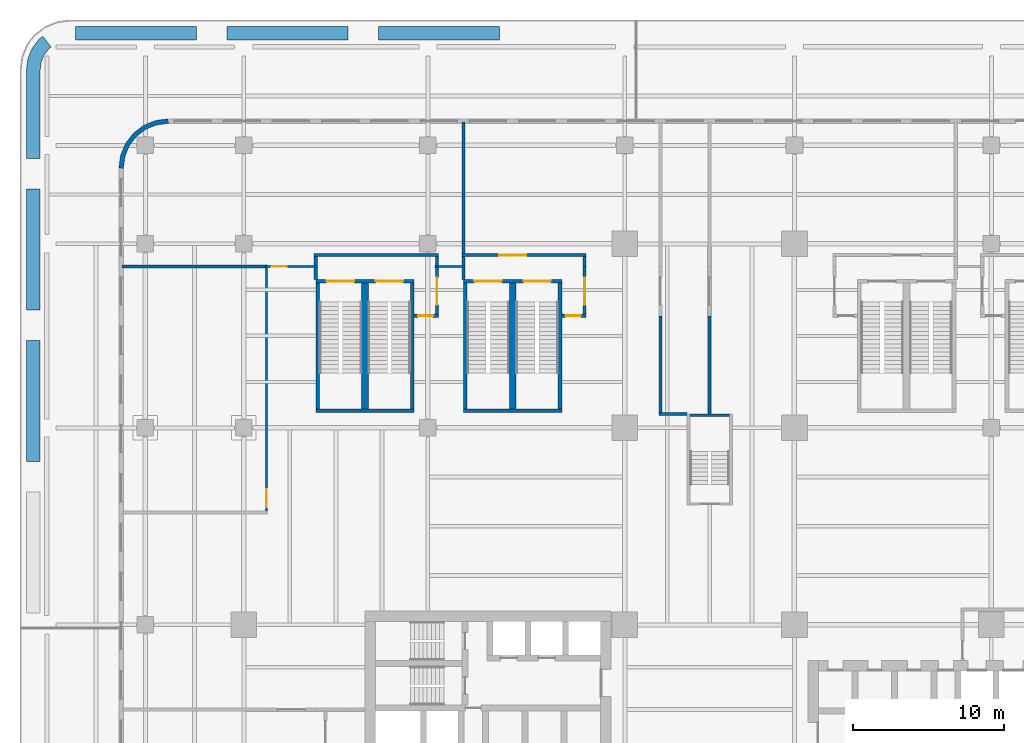
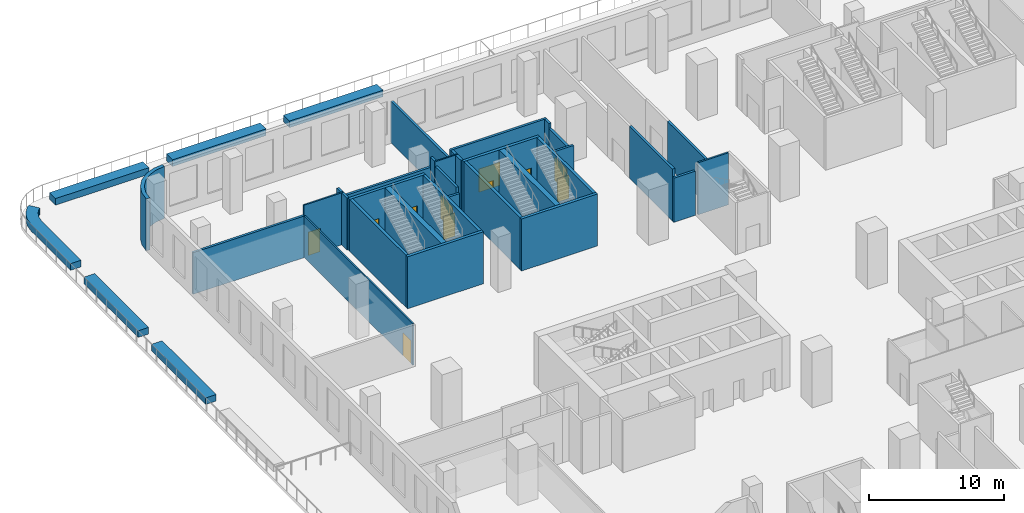
# One storey, part 13 of 18: 38 walls, 11 doors, 11 openings.
"""IFC4 building model written with IfcOpenShell, lengths in metres."""

from ifc_helpers import new_model, si_unit, direction, frame, frame_2d, origin, place, context, subcontext, project, spatial, polyline, rectangle, outline, extrude, source, transform, mapped, material, layer, layer_set, type_object, element, fill, save


model = new_model("IFC4")

# Units and contexts
model_context = context("Model", 3, precision=1e-05, world=origin(), true_north=direction((0.0, 1.0)))
body_context = subcontext(model_context, "Body", "Model", "MODEL_VIEW")
ifc_project = project(units=[si_unit("LENGTHUNIT", "METRE"), si_unit("AREAUNIT", "SQUARE_METRE"), si_unit("VOLUMEUNIT", "CUBIC_METRE"), si_unit("PLANEANGLEUNIT", "RADIAN"), si_unit("MASSUNIT", "GRAM", prefix="KILO")], contexts=[model_context])

# Site, building, storey
site_placement = place(None, origin())
site = spatial("IfcSite", under=ifc_project, at=site_placement, CompositionType="ELEMENT")
building_placement = place(site_placement, origin())
building = spatial("IfcBuilding", under=site, at=building_placement, Name="Trellis Farm Tower", CompositionType="ELEMENT")
storey_placement = place(building_placement, frame((0.0, 0.0, 14.0)))
storey = spatial("IfcBuildingStorey", under=building, at=storey_placement, Name="L02", CompositionType="ELEMENT", Elevation=14.0)

# Wall, opening, door
ifc_material_1 = material(Name="Plasterboard on steel studs, mineral wool", Category="steel")
ifc_layer_1 = layer(ifc_material_1, 0.125)
ifc_layer_set_1 = layer_set([ifc_layer_1], Name="PARTITION 125 STUD EI 60")
wall_type_1 = type_object("IfcWallType", Name="PARTITION 125 STUD EI 60", PredefinedType="PARTITIONING", material=ifc_layer_set_1)
wall_1_placement = place(storey_placement, frame((-29.25, 13.10009765625, 0.0), z_axis=(0.0, 0.0, 1.0), x_axis=(0.0, 1.0, 0.0)))
wall_1 = element("IfcWall", 1, at=wall_1_placement, inside=storey, type_object=wall_type_1, Name="Partition PW1", PredefinedType="PARTITIONING", context=body_context, shape_type="SweptSolid", body=[
    extrude(rectangle(XDim=16.0498046875, YDim=0.125, at=frame_2d((8.02490234375, 0.0))), origin(), (0.0, 0.0, 1.0), 3.76171875),
])
shared_shape_1 = source(origin(), body_context, "Body", "SweptSolid", [
    extrude(rectangle(XDim=1.199951171875, YDim=2.10009765625, at=frame_2d((0.60009765625, 1.050048828125))), frame((0.0, 0.072509765625, 0.0), z_axis=(0.0, -1.0, 0.0), x_axis=(1.0, 0.0, 0.0)), (0.0, 0.0, 1.0), 0.14501953125),
])
opening_1_placement = place(wall_1_placement, frame((0.25, 0.0, 0.0)))
opening_1 = element("IfcOpeningElement", 2, at=opening_1_placement, cuts=wall_1, Name="Opening D604", PredefinedType="OPENING", context=body_context, shape_type="MappedRepresentation", body=[
    mapped(shared_shape_1, transform((0.0, 0.0, 0.0))),
])
ifc_material_2 = material(Name="Fire-rated timber door leaf in a hollow metal frame", Category="wood")
door_type_1 = type_object("IfcDoorType", Name="DOOR 1200x2100 FD30S", OperationType="NOTDEFINED", PredefinedType="DOOR", material=ifc_material_2)
shared_shape_2 = source(origin(), body_context, "Body", "SweptSolid", [
    extrude(rectangle(XDim=1.199951171875, YDim=2.10009765625, at=frame_2d((0.60009765625, 1.050048828125))), frame((0.0, 0.02490234375, 0.0), z_axis=(0.0, -1.0, 0.0), x_axis=(1.0, 0.0, 0.0)), (0.0, 0.0, 1.0), 0.050048828125),
])
door_1_placement = place(opening_1_placement, origin())
door_1 = element("IfcDoor", 3, at=door_1_placement, inside=storey, type_object=door_type_1, Name="Door D604", OperationType="SINGLE_SWING_LEFT", OverallHeight=2.10009765625, OverallWidth=1.199951171875, PredefinedType="DOOR", context=body_context, shape_type="MappedRepresentation", body=[
    mapped(shared_shape_2, transform((0.0, 0.0, 0.0))),
])
fill(opening_1, door_1)

# Walls
ifc_material_3 = material(Name="Sandstone faced masonry planter", Category="masonry")
ifc_layer_2 = layer(ifc_material_3, 0.89990234375)
ifc_layer_set_2 = layer_set([ifc_layer_2], Name="TERRACE PLANTER BED 900")
wall_type_2 = type_object("IfcWallType", Name="TERRACE PLANTER BED 900", PredefinedType="USERDEFINED", material=ifc_layer_set_2)
placement = place(storey_placement, origin())
element("IfcWall", 4, at=placement, inside=storey, type_object=wall_type_2, Name="PLANTER bed", ObjectType="PLANTER", PredefinedType="USERDEFINED", context=body_context, shape_type="SweptSolid", body=[
    extrude(outline(polyline([(-44.199951171875, 24.375), (-44.199951171875, 16.375), (-45.10009765625, 16.375), (-45.10009765625, 24.375), (-44.199951171875, 24.375)])), origin(), (0.0, 0.0, 1.0), 0.60009765625),
])
element("IfcWall", 5, at=placement, inside=storey, type_object=wall_type_2, Name="PLANTER bed", ObjectType="PLANTER", PredefinedType="USERDEFINED", context=body_context, shape_type="SweptSolid", body=[
    extrude(outline(polyline([(-44.199951171875, 34.375), (-44.199951171875, 26.375), (-45.10009765625, 26.375), (-45.10009765625, 34.375), (-44.199951171875, 34.375)])), origin(), (0.0, 0.0, 1.0), 0.60009765625),
])
element("IfcWall", 6, at=placement, inside=storey, type_object=wall_type_2, Name="PLANTER bed", ObjectType="PLANTER", PredefinedType="USERDEFINED", context=body_context, shape_type="SweptSolid", body=[
    extrude(outline(polyline([(-44.99951171875, 42.98681640625), (-44.715087890625, 43.67333984375), (-44.2626953125, 44.2626953125), (-44.016845703125, 44.451416015625), (-43.468994140625, 43.737548828125), (-43.620849609375, 43.620849609375), (-43.928955078125, 43.219482421875), (-44.122802734375, 42.751708984375), (-44.199951171875, 42.164794921875), (-44.199951171875, 36.375), (-45.10009765625, 36.375), (-45.10009765625, 42.223876953125), (-44.99951171875, 42.98681640625)])), origin(), (0.0, 0.0, 1.0), 0.60009765625),
])
element("IfcWall", 7, at=placement, inside=storey, type_object=wall_type_2, Name="PLANTER bed", ObjectType="PLANTER", PredefinedType="USERDEFINED", context=body_context, shape_type="SweptSolid", body=[
    extrude(outline(polyline([(-33.87353515625, 44.199951171875), (-41.87353515625, 44.199951171875), (-41.87353515625, 45.10009765625), (-33.87353515625, 45.10009765625), (-33.87353515625, 44.199951171875)])), origin(), (0.0, 0.0, 1.0), 0.60009765625),
])
element("IfcWall", 8, at=placement, inside=storey, type_object=wall_type_2, Name="PLANTER bed", ObjectType="PLANTER", PredefinedType="USERDEFINED", context=body_context, shape_type="SweptSolid", body=[
    extrude(outline(polyline([(-23.87353515625, 44.199951171875), (-31.87353515625, 44.199951171875), (-31.87353515625, 45.10009765625), (-23.87353515625, 45.10009765625), (-23.87353515625, 44.199951171875)])), origin(), (0.0, 0.0, 1.0), 0.60009765625),
])
element("IfcWall", 9, at=placement, inside=storey, type_object=wall_type_2, Name="PLANTER bed", ObjectType="PLANTER", PredefinedType="USERDEFINED", context=body_context, shape_type="SweptSolid", body=[
    extrude(outline(polyline([(-13.87353515625, 44.199951171875), (-21.87353515625, 44.199951171875), (-21.87353515625, 45.10009765625), (-13.87353515625, 45.10009765625), (-13.87353515625, 44.199951171875)])), origin(), (0.0, 0.0, 1.0), 0.60009765625),
])
ifc_material_4 = material(Name="Concrete C80/95", Category="concrete")
ifc_layer_3 = layer(ifc_material_4, 0.14990234375)
ifc_layer_set_3 = layer_set([ifc_layer_3], Name="CORE STAIR ENCLOSURE WALL 150 CONCRETE C80/95")
wall_type_3 = type_object("IfcWallType", Name="CORE STAIR ENCLOSURE WALL 150 CONCRETE C80/95", PredefinedType="SHEAR", material=ifc_layer_set_3)
shared_shape_3 = source(origin(), body_context, "Body", "SweptSolid", [
    extrude(rectangle(XDim=2.60009765625, YDim=0.14990234375, at=frame_2d((1.300048828125, 0.0))), origin(), (0.0, 0.0, 1.0), 4.699951171875),
])
wall_8_placement = place(storey_placement, frame((-1.300048828125, 19.425048828125, 0.0), z_axis=(0.0, 0.0, 1.0), x_axis=(1.0, 0.0, 0.0)))
element("IfcWall", 10, at=wall_8_placement, inside=storey, type_object=wall_type_3, Name="Stair enclosure wall", PredefinedType="SHEAR", context=body_context, shape_type="MappedRepresentation", body=[
    mapped(shared_shape_3, transform((0.0, 0.0, 0.0))),
])

# Wall, openings, doors
ifc_layer_4 = layer(ifc_material_4, 0.25)
ifc_layer_set_4 = layer_set([ifc_layer_4], Name="CORE STAIR ENCLOSURE WALL 250 CONCRETE C80/95")
wall_type_4 = type_object("IfcWallType", Name="CORE STAIR ENCLOSURE WALL 250 CONCRETE C80/95", PredefinedType="SHEAR", material=ifc_layer_set_4)
shared_shape_4 = source(origin(), body_context, "Body", "SweptSolid", [
    extrude(rectangle(XDim=6.5, YDim=0.25, at=frame_2d((3.25, 0.0))), origin(), (0.0, 0.0, 1.0), 4.699951171875),
])
wall_9_placement = place(storey_placement, frame((-26.0, 28.27490234375, 0.0), z_axis=(0.0, 0.0, 1.0), x_axis=(1.0, 0.0, 0.0)))
wall_9 = element("IfcWall", 11, at=wall_9_placement, inside=storey, type_object=wall_type_4, Name="Podium stair enclosure wall", PredefinedType="SHEAR", context=body_context, shape_type="MappedRepresentation", body=[
    mapped(shared_shape_4, transform((0.0, 0.0, 0.0))),
])
shared_shape_5 = source(origin(), body_context, "Body", "SweptSolid", [
    extrude(rectangle(XDim=1.800048828125, YDim=2.10009765625, at=frame_2d((0.89990234375, 1.050048828125))), frame((0.0, 0.135009765625, 0.0), z_axis=(0.0, -1.0, 0.0), x_axis=(1.0, 0.0, 0.0)), (0.0, 0.0, 1.0), 0.27001953125),
])
opening_2_placement = place(wall_9_placement, frame((0.72509765625, 0.0, 0.0)))
opening_2 = element("IfcOpeningElement", 12, at=opening_2_placement, cuts=wall_9, Name="Opening DP1", PredefinedType="OPENING", context=body_context, shape_type="MappedRepresentation", body=[
    mapped(shared_shape_5, transform((0.0, 0.0, 0.0))),
])
opening_3_placement = place(wall_9_placement, frame((3.97509765625, 0.0, 0.0)))
opening_3 = element("IfcOpeningElement", 13, at=opening_3_placement, cuts=wall_9, Name="Opening DP2", PredefinedType="OPENING", context=body_context, shape_type="MappedRepresentation", body=[
    mapped(shared_shape_5, transform((0.0, 0.0, 0.0))),
])
ifc_material_5 = material(Name="Steel", Category="steel")
door_type_2 = type_object("IfcDoorType", Name="CORE FIRE DOOR DOUBLE 1800 X 2100", OperationType="DOUBLE_DOOR_SINGLE_SWING", PredefinedType="DOOR", material=ifc_material_5)
shared_shape_6 = source(origin(), body_context, "Body", "SweptSolid", [
    extrude(rectangle(XDim=1.800048828125, YDim=2.10009765625, at=frame_2d((0.89990234375, 1.050048828125))), frame((0.0, 0.02490234375, 0.0), z_axis=(0.0, -1.0, 0.0), x_axis=(1.0, 0.0, 0.0)), (0.0, 0.0, 1.0), 0.050048828125),
])
door_2_placement = place(opening_2_placement, origin())
door_2 = element("IfcDoor", 14, at=door_2_placement, inside=storey, type_object=door_type_2, Name="Podium stair door", OperationType="DOUBLE_DOOR_SINGLE_SWING", OverallHeight=2.10009765625, OverallWidth=1.800048828125, PredefinedType="DOOR", context=body_context, shape_type="MappedRepresentation", body=[
    mapped(shared_shape_6, transform((0.0, 0.0, 0.0))),
])
fill(opening_2, door_2)
door_3_placement = place(opening_3_placement, origin())
door_3 = element("IfcDoor", 15, at=door_3_placement, inside=storey, type_object=door_type_2, Name="Podium stair door", OperationType="DOUBLE_DOOR_SINGLE_SWING", OverallHeight=2.10009765625, OverallWidth=1.800048828125, PredefinedType="DOOR", context=body_context, shape_type="MappedRepresentation", body=[
    mapped(shared_shape_6, transform((0.0, 0.0, 0.0))),
])
fill(opening_3, door_3)

# Wall
wall_10_placement = place(storey_placement, frame((-26.0, 19.72509765625, 0.0), z_axis=(0.0, 0.0, 1.0), x_axis=(1.0, 0.0, 0.0)))
element("IfcWall", 16, at=wall_10_placement, inside=storey, type_object=wall_type_4, Name="Podium stair enclosure wall", PredefinedType="SHEAR", context=body_context, shape_type="MappedRepresentation", body=[
    mapped(shared_shape_4, transform((0.0, 0.0, 0.0))),
])

# Wall, openings, doors
wall_11_placement = place(storey_placement, frame((-16.25, 28.27490234375, 0.0), z_axis=(0.0, 0.0, 1.0), x_axis=(1.0, 0.0, 0.0)))
wall_11 = element("IfcWall", 17, at=wall_11_placement, inside=storey, type_object=wall_type_4, Name="Podium stair enclosure wall", PredefinedType="SHEAR", context=body_context, shape_type="MappedRepresentation", body=[
    mapped(shared_shape_4, transform((0.0, 0.0, 0.0))),
])
opening_4_placement = place(wall_11_placement, frame((0.72509765625, 0.0, 0.0)))
opening_4 = element("IfcOpeningElement", 18, at=opening_4_placement, cuts=wall_11, Name="Opening DP3", PredefinedType="OPENING", context=body_context, shape_type="MappedRepresentation", body=[
    mapped(shared_shape_5, transform((0.0, 0.0, 0.0))),
])
opening_5_placement = place(wall_11_placement, frame((3.97509765625, 0.0, 0.0)))
opening_5 = element("IfcOpeningElement", 19, at=opening_5_placement, cuts=wall_11, Name="Opening DP4", PredefinedType="OPENING", context=body_context, shape_type="MappedRepresentation", body=[
    mapped(shared_shape_5, transform((0.0, 0.0, 0.0))),
])
door_4_placement = place(opening_4_placement, origin())
door_4 = element("IfcDoor", 20, at=door_4_placement, inside=storey, type_object=door_type_2, Name="Podium stair door", OperationType="DOUBLE_DOOR_SINGLE_SWING", OverallHeight=2.10009765625, OverallWidth=1.800048828125, PredefinedType="DOOR", context=body_context, shape_type="MappedRepresentation", body=[
    mapped(shared_shape_6, transform((0.0, 0.0, 0.0))),
])
fill(opening_4, door_4)
door_5_placement = place(opening_5_placement, origin())
door_5 = element("IfcDoor", 21, at=door_5_placement, inside=storey, type_object=door_type_2, Name="Podium stair door", OperationType="DOUBLE_DOOR_SINGLE_SWING", OverallHeight=2.10009765625, OverallWidth=1.800048828125, PredefinedType="DOOR", context=body_context, shape_type="MappedRepresentation", body=[
    mapped(shared_shape_6, transform((0.0, 0.0, 0.0))),
])
fill(opening_5, door_5)

# Walls
wall_12_placement = place(storey_placement, frame((-16.25, 19.72509765625, 0.0), z_axis=(0.0, 0.0, 1.0), x_axis=(1.0, 0.0, 0.0)))
element("IfcWall", 22, at=wall_12_placement, inside=storey, type_object=wall_type_4, Name="Podium stair enclosure wall", PredefinedType="SHEAR", context=body_context, shape_type="MappedRepresentation", body=[
    mapped(shared_shape_4, transform((0.0, 0.0, 0.0))),
])
shared_shape_7 = source(origin(), body_context, "Body", "SweptSolid", [
    extrude(rectangle(XDim=8.2998046875, YDim=0.25, at=frame_2d((4.14990234375, 0.0))), origin(), (0.0, 0.0, 1.0), 4.699951171875),
])
for number, where, z_axis, x_axis, name in (
    (23, (-25.875, 19.85009765625, 0.0), (0.0, 0.0, 1.0), (0.0, 1.0, 0.0), "Podium stair enclosure wall"),
    (24, (-19.625, 19.85009765625, 0.0), (0.0, 0.0, 1.0), (0.0, 1.0, 0.0), "Podium stair enclosure wall"),
    (25, (-16.125, 19.85009765625, 0.0), (0.0, 0.0, 1.0), (0.0, 1.0, 0.0), "Podium stair enclosure wall"),
    (26, (-9.875, 19.85009765625, 0.0), (0.0, 0.0, 1.0), (0.0, 1.0, 0.0), "Podium stair enclosure wall"),
):
    element("IfcWall", number, at=place(storey_placement, frame(where, z_axis=z_axis, x_axis=x_axis)), inside=storey, type_object=wall_type_4, Name=name, PredefinedType="SHEAR", context=body_context, shape_type="MappedRepresentation", body=[
        mapped(shared_shape_7, transform((0.0, 0.0, 0.0))),
    ])
ifc_layer_5 = layer(ifc_material_4, 0.43994140625)
ifc_layer_set_5 = layer_set([ifc_layer_5], Name="CORE STAIR ENCLOSURE WALL 440 CONCRETE C80/95")
wall_type_5 = type_object("IfcWallType", Name="CORE STAIR ENCLOSURE WALL 440 CONCRETE C80/95", PredefinedType="SHEAR", material=ifc_layer_set_5)
shared_shape_8 = source(origin(), body_context, "Body", "SweptSolid", [
    extrude(rectangle(XDim=8.2998046875, YDim=0.43994140625, at=frame_2d((4.14990234375, 0.0))), origin(), (0.0, 0.0, 1.0), 4.699951171875),
])
for number, where, z_axis, x_axis, name in (
    (27, (-22.75, 19.85009765625, 0.0), (0.0, 0.0, 1.0), (0.0, 1.0, 0.0), "Podium stair enclosure wall"),
    (28, (-13.0, 19.85009765625, 0.0), (0.0, 0.0, 1.0), (0.0, 1.0, 0.0), "Podium stair enclosure wall"),
):
    element("IfcWall", number, at=place(storey_placement, frame(where, z_axis=z_axis, x_axis=x_axis)), inside=storey, type_object=wall_type_5, Name=name, PredefinedType="SHEAR", context=body_context, shape_type="MappedRepresentation", body=[
        mapped(shared_shape_8, transform((0.0, 0.0, 0.0))),
    ])
ifc_material_6 = material(Name="Sandstone faced insulated wall", Category="masonry")
ifc_layer_6 = layer(ifc_material_6, 0.300048828125)
ifc_layer_set_6 = layer_set([ifc_layer_6], Name="STONE CLAD EXTERNAL WALL 300")
wall_type_6 = type_object("IfcWallType", Name="STONE CLAD EXTERNAL WALL 300", PredefinedType="SOLIDWALL", material=ifc_layer_set_6)
shared_shape_9 = source(origin(), body_context, "Body", "SweptSolid", [
    extrude(outline(polyline([(-35.75, 39.0), (-36.591064453125, 38.88916015625), (-37.375, 38.564697265625), (-38.048095703125, 38.048095703125), (-38.564697265625, 37.375), (-38.88916015625, 36.591064453125), (-39.0, 35.75), (-38.699951171875, 35.730224609375), (-38.596923828125, 36.512939453125), (-38.302490234375, 37.2236328125), (-37.834228515625, 37.834228515625), (-37.2236328125, 38.302490234375), (-36.512939453125, 38.596923828125), (-35.730224609375, 38.699951171875), (-35.75, 39.0)])), origin(), (0.0, 0.0, 1.0), 4.699951171875),
])
element("IfcWall", 29, at=placement, inside=storey, type_object=wall_type_6, Name="EW2 C02", PredefinedType="SOLIDWALL", context=body_context, shape_type="MappedRepresentation", body=[
    mapped(shared_shape_9, transform((0.0, 0.0, 0.0))),
])
ifc_material_7 = material(Name="Lightweight blockwork, plastered", Category="masonry")
ifc_layer_7 = layer(ifc_material_7, 0.199951171875)
ifc_layer_set_7 = layer_set([ifc_layer_7], Name="BLOCK WALL 200 EI 120")
wall_type_7 = type_object("IfcWallType", Name="BLOCK WALL 200 EI 120", PredefinedType="PARTITIONING", material=ifc_layer_set_7)
shared_shape_10 = source(origin(), body_context, "Body", "SweptSolid", [
    extrude(rectangle(XDim=0.78759765625, YDim=0.199951171875, at=frame_2d((0.393798828125, 0.0))), origin(), (0.0, 0.0, 1.0), 4.699951171875),
])
for number, where, z_axis, x_axis, name in (
    (30, (-26.0, 28.39990234375, 0.0), (0.0, 0.0, 1.0), (0.0, 1.0, 0.0), "Partition PW3"),
    (31, (-16.25, 28.39990234375, 0.0), (0.0, 0.0, 1.0), (0.0, 1.0, 0.0), "Partition PW3"),
):
    element("IfcWall", number, at=place(storey_placement, frame(where, z_axis=z_axis, x_axis=x_axis)), inside=storey, type_object=wall_type_7, Name=name, PredefinedType="PARTITIONING", context=body_context, shape_type="MappedRepresentation", body=[
        mapped(shared_shape_10, transform((0.0, 0.0, 0.0))),
    ])
shared_shape_11 = source(origin(), body_context, "Body", "SweptSolid", [
    extrude(rectangle(XDim=0.58740234375, YDim=0.199951171875, at=frame_2d((0.293701171875, 0.0))), origin(), (0.0, 0.0, 1.0), 4.699951171875),
])
for number, where, z_axis, x_axis, name in (
    (32, (-26.0, 29.3125, 0.0), (0.0, 0.0, 1.0), (0.0, 1.0, 0.0), "Partition PW3"),
    (33, (-18.0, 29.3125, 0.0), (0.0, 0.0, 1.0), (0.0, 1.0, 0.0), "Partition PW3"),
    (34, (-16.25, 29.3125, 0.0), (0.0, 0.0, 1.0), (0.0, 1.0, 0.0), "Partition PW3"),
):
    element("IfcWall", number, at=place(storey_placement, frame(where, z_axis=z_axis, x_axis=x_axis)), inside=storey, type_object=wall_type_7, Name=name, PredefinedType="PARTITIONING", context=body_context, shape_type="MappedRepresentation", body=[
        mapped(shared_shape_11, transform((0.0, 0.0, 0.0))),
    ])

# Wall, opening, door
shared_shape_12 = source(origin(), body_context, "Body", "SweptSolid", [
    extrude(rectangle(XDim=3.08740234375, YDim=0.199951171875, at=frame_2d((1.543701171875, 0.0))), origin(), (0.0, 0.0, 1.0), 4.273681640625),
])
wall_14_placement = place(storey_placement, frame((-18.0, 29.1875, 0.0), z_axis=(0.0, 0.0, 1.0), x_axis=(0.0, -1.0, 0.0)))
wall_14 = element("IfcWall", 35, at=wall_14_placement, inside=storey, type_object=wall_type_7, Name="Partition PW3", PredefinedType="PARTITIONING", context=body_context, shape_type="MappedRepresentation", body=[
    mapped(shared_shape_12, transform((0.0, 0.0, 0.0))),
])
shared_shape_13 = source(origin(), body_context, "Body", "SweptSolid", [
    extrude(rectangle(XDim=1.800048828125, YDim=2.10009765625, at=frame_2d((0.89990234375, 1.050048828125))), frame((0.0, 0.110107421875, 0.0), z_axis=(0.0, -1.0, 0.0), x_axis=(1.0, 0.0, 0.0)), (0.0, 0.0, 1.0), 0.22021484375),
])
opening_6_placement = place(wall_14_placement, frame((0.66259765625, 0.0, 0.0)))
opening_6 = element("IfcOpeningElement", 36, at=opening_6_placement, cuts=wall_14, Name="Opening D413", PredefinedType="OPENING", context=body_context, shape_type="MappedRepresentation", body=[
    mapped(shared_shape_13, transform((0.0, 0.0, 0.0))),
])
door_type_3 = type_object("IfcDoorType", Name="DOOR PAIR 1800x2100 FD60", OperationType="NOTDEFINED", PredefinedType="DOOR", material=ifc_material_2)
door_6_placement = place(opening_6_placement, origin())
door_6 = element("IfcDoor", 37, at=door_6_placement, inside=storey, type_object=door_type_3, Name="Door D413", OperationType="DOUBLE_DOOR_SINGLE_SWING", OverallHeight=2.10009765625, OverallWidth=1.800048828125, PredefinedType="DOOR", context=body_context, shape_type="MappedRepresentation", body=[
    mapped(shared_shape_6, transform((0.0, 0.0, 0.0))),
])
fill(opening_6, door_6)

# Walls
shared_shape_14 = source(origin(), body_context, "Body", "SweptSolid", [
    extrude(rectangle(XDim=8.699951171875, YDim=0.199951171875, at=frame_2d((4.35009765625, 0.0))), origin(), (0.0, 0.0, 1.0), 3.76171875),
])
wall_15_placement = place(storey_placement, frame((-16.25, 30.10009765625, 0.0), z_axis=(0.0, 0.0, 1.0), x_axis=(0.0, 1.0, 0.0)))
element("IfcWall", 38, at=wall_15_placement, inside=storey, type_object=wall_type_7, Name="Partition PW3", PredefinedType="PARTITIONING", context=body_context, shape_type="MappedRepresentation", body=[
    mapped(shared_shape_14, transform((0.0, 0.0, 0.0))),
])
shared_shape_15 = source(origin(), body_context, "Body", "SweptSolid", [
    extrude(rectangle(XDim=6.39990234375, YDim=0.199951171875, at=frame_2d((3.199951171875, 0.0))), origin(), (0.0, 0.0, 1.0), 4.699951171875),
])
wall_16_placement = place(storey_placement, frame((-3.25, 26.0, 0.0), z_axis=(0.0, 0.0, 1.0), x_axis=(0.0, -1.0, 0.0)))
element("IfcWall", 39, at=wall_16_placement, inside=storey, type_object=wall_type_7, Name="Partition PW3", PredefinedType="PARTITIONING", context=body_context, shape_type="MappedRepresentation", body=[
    mapped(shared_shape_15, transform((0.0, 0.0, 0.0))),
])
shared_shape_16 = source(origin(), body_context, "Body", "SweptSolid", [
    extrude(rectangle(XDim=6.5, YDim=0.199951171875, at=frame_2d((3.25, 0.0))), origin(), (0.0, 0.0, 1.0), 3.996337890625),
])
wall_17_placement = place(storey_placement, frame((0.0, 26.0, 0.0), z_axis=(0.0, 0.0, 1.0), x_axis=(0.0, -1.0, 0.0)))
element("IfcWall", 40, at=wall_17_placement, inside=storey, type_object=wall_type_7, Name="Partition PW3", PredefinedType="PARTITIONING", context=body_context, shape_type="MappedRepresentation", body=[
    mapped(shared_shape_16, transform((0.0, 0.0, 0.0))),
])

# Wall, opening, door
shared_shape_17 = source(origin(), body_context, "Body", "SweptSolid", [
    extrude(rectangle(XDim=3.14990234375, YDim=0.199951171875, at=frame_2d((1.574951171875, 0.0))), origin(), (0.0, 0.0, 1.0), 4.273681640625),
])
wall_18_placement = place(storey_placement, frame((-8.25, 29.25, 0.0), z_axis=(0.0, 0.0, 1.0), x_axis=(0.0, -1.0, 0.0)))
wall_18 = element("IfcWall", 41, at=wall_18_placement, inside=storey, type_object=wall_type_7, Name="Partition PW3", PredefinedType="PARTITIONING", context=body_context, shape_type="MappedRepresentation", body=[
    mapped(shared_shape_17, transform((0.0, 0.0, 0.0))),
])
opening_7_placement = place(wall_18_placement, frame((0.72509765625, 0.0, 0.0)))
opening_7 = element("IfcOpeningElement", 42, at=opening_7_placement, cuts=wall_18, Name="Opening D414", PredefinedType="OPENING", context=body_context, shape_type="MappedRepresentation", body=[
    mapped(shared_shape_13, transform((0.0, 0.0, 0.0))),
])
door_7_placement = place(opening_7_placement, origin())
door_7 = element("IfcDoor", 43, at=door_7_placement, inside=storey, type_object=door_type_3, Name="Door D414", OperationType="DOUBLE_DOOR_SINGLE_SWING", OverallHeight=2.10009765625, OverallWidth=1.800048828125, PredefinedType="DOOR", context=body_context, shape_type="MappedRepresentation", body=[
    mapped(shared_shape_6, transform((0.0, 0.0, 0.0))),
])
fill(opening_7, door_7)

# Wall
shared_shape_18 = source(origin(), body_context, "Body", "SweptSolid", [
    extrude(rectangle(XDim=0.64990234375, YDim=0.199951171875, at=frame_2d((0.324951171875, 0.0))), origin(), (0.0, 0.0, 1.0), 4.699951171875),
])
wall_19_placement = place(storey_placement, frame((-8.25, 29.25, 0.0), z_axis=(0.0, 0.0, 1.0), x_axis=(0.0, 1.0, 0.0)))
element("IfcWall", 44, at=wall_19_placement, inside=storey, type_object=wall_type_7, Name="Partition PW3", PredefinedType="PARTITIONING", context=body_context, shape_type="MappedRepresentation", body=[
    mapped(shared_shape_18, transform((0.0, 0.0, 0.0))),
])

# Wall, opening, door
shared_shape_19 = source(origin(), body_context, "Body", "SweptSolid", [
    extrude(rectangle(XDim=8.2001953125, YDim=0.199951171875, at=frame_2d((4.10009765625, 0.0))), origin(), (0.0, 0.0, 1.0), 4.699951171875),
])
wall_20_placement = place(storey_placement, frame((-16.35009765625, 30.0, 0.0), z_axis=(0.0, 0.0, 1.0), x_axis=(1.0, 0.0, 0.0)))
wall_20 = element("IfcWall", 45, at=wall_20_placement, inside=storey, type_object=wall_type_7, Name="Partition PW3", PredefinedType="PARTITIONING", context=body_context, shape_type="MappedRepresentation", body=[
    mapped(shared_shape_19, transform((0.0, 0.0, 0.0))),
])
opening_8_placement = place(wall_20_placement, frame((2.449951171875, 0.0, 0.0)))
opening_8 = element("IfcOpeningElement", 46, at=opening_8_placement, cuts=wall_20, Name="Opening D419", PredefinedType="OPENING", context=body_context, shape_type="MappedRepresentation", body=[
    mapped(shared_shape_13, transform((0.0, 0.0, 0.0))),
])
door_8_placement = place(opening_8_placement, origin())
door_8 = element("IfcDoor", 47, at=door_8_placement, inside=storey, type_object=door_type_3, Name="Door D419", OperationType="DOUBLE_DOOR_SINGLE_SWING", OverallHeight=2.10009765625, OverallWidth=1.800048828125, PredefinedType="DOOR", context=body_context, shape_type="MappedRepresentation", body=[
    mapped(shared_shape_6, transform((0.0, 0.0, 0.0))),
])
fill(opening_8, door_8)

# Walls
shared_shape_20 = source(origin(), body_context, "Body", "SweptSolid", [
    extrude(rectangle(XDim=8.2001953125, YDim=0.199951171875, at=frame_2d((4.10009765625, 0.0))), origin(), (0.0, 0.0, 1.0), 3.76171875),
])
wall_21_placement = place(storey_placement, frame((-26.10009765625, 30.0, 0.0), z_axis=(0.0, 0.0, 1.0), x_axis=(1.0, 0.0, 0.0)))
element("IfcWall", 48, at=wall_21_placement, inside=storey, type_object=wall_type_7, Name="Partition PW3", PredefinedType="PARTITIONING", context=body_context, shape_type="MappedRepresentation", body=[
    mapped(shared_shape_20, transform((0.0, 0.0, 0.0))),
])
shared_shape_21 = source(origin(), body_context, "Body", "SweptSolid", [
    extrude(rectangle(XDim=9.612548828125, YDim=0.199951171875, at=frame_2d((4.80615234375, 0.0))), origin(), (0.0, 0.0, 1.0), 3.76171875),
])
wall_22_placement = place(storey_placement, frame((-38.800048828125, 29.25, 0.0), z_axis=(0.0, 0.0, 1.0), x_axis=(1.0, 0.0, 0.0)))
element("IfcWall", 49, at=wall_22_placement, inside=storey, type_object=wall_type_7, Name="Partition PW3", PredefinedType="PARTITIONING", context=body_context, shape_type="MappedRepresentation", body=[
    mapped(shared_shape_21, transform((0.0, 0.0, 0.0))),
])
shared_shape_22 = source(origin(), body_context, "Body", "SweptSolid", [
    extrude(rectangle(XDim=1.9501953125, YDim=0.125, at=frame_2d((0.97509765625, 0.0))), origin(), (0.0, 0.0, 1.0), 4.699951171875),
])
wall_23_placement = place(storey_placement, frame((-18.10009765625, 29.25, 0.0), z_axis=(0.0, 0.0, 1.0), x_axis=(1.0, 0.0, 0.0)))
element("IfcWall", 50, at=wall_23_placement, inside=storey, type_object=wall_type_1, Name="Partition PW1", PredefinedType="PARTITIONING", context=body_context, shape_type="MappedRepresentation", body=[
    mapped(shared_shape_22, transform((0.0, 0.0, 0.0))),
])

# Wall, opening, door
shared_shape_23 = source(origin(), body_context, "Body", "SweptSolid", [
    extrude(rectangle(XDim=3.41259765625, YDim=0.125, at=frame_2d((1.706298828125, 0.0))), origin(), (0.0, 0.0, 1.0), 4.699951171875),
])
wall_24_placement = place(storey_placement, frame((-29.3125, 29.25, 0.0), z_axis=(0.0, 0.0, 1.0), x_axis=(1.0, 0.0, 0.0)))
wall_24 = element("IfcWall", 51, at=wall_24_placement, inside=storey, type_object=wall_type_1, Name="Partition PW1", PredefinedType="PARTITIONING", context=body_context, shape_type="MappedRepresentation", body=[
    mapped(shared_shape_23, transform((0.0, 0.0, 0.0))),
])
shared_shape_24 = source(origin(), body_context, "Body", "SweptSolid", [
    extrude(rectangle(XDim=1.0, YDim=2.10009765625, at=frame_2d((0.5, 1.050048828125))), frame((0.0, 0.072509765625, 0.0), z_axis=(0.0, -1.0, 0.0), x_axis=(1.0, 0.0, 0.0)), (0.0, 0.0, 1.0), 0.14501953125),
])
opening_9_placement = place(wall_24_placement, frame((0.41259765625, 0.0, 0.0)))
opening_9 = element("IfcOpeningElement", 52, at=opening_9_placement, cuts=wall_24, Name="Opening D310", PredefinedType="OPENING", context=body_context, shape_type="MappedRepresentation", body=[
    mapped(shared_shape_24, transform((0.0, 0.0, 0.0))),
])
door_type_4 = type_object("IfcDoorType", Name="DOOR 1000x2100 FD60", OperationType="NOTDEFINED", PredefinedType="DOOR", material=ifc_material_2)
shared_shape_25 = source(origin(), body_context, "Body", "SweptSolid", [
    extrude(rectangle(XDim=1.0, YDim=2.10009765625, at=frame_2d((0.5, 1.050048828125))), frame((0.0, 0.02490234375, 0.0), z_axis=(0.0, -1.0, 0.0), x_axis=(1.0, 0.0, 0.0)), (0.0, 0.0, 1.0), 0.050048828125),
])
door_9_placement = place(opening_9_placement, origin())
door_9 = element("IfcDoor", 53, at=door_9_placement, inside=storey, type_object=door_type_4, Name="Door D310", OperationType="SINGLE_SWING_LEFT", OverallHeight=2.10009765625, OverallWidth=1.0, PredefinedType="DOOR", context=body_context, shape_type="MappedRepresentation", body=[
    mapped(shared_shape_25, transform((0.0, 0.0, 0.0))),
])
fill(opening_9, door_9)

shared_shape_26 = source(origin(), body_context, "Body", "SweptSolid", [
    extrude(rectangle(XDim=1.60009765625, YDim=0.199951171875, at=frame_2d((0.800048828125, 0.0))), origin(), (0.0, 0.0, 1.0), 4.699951171875),
])
wall_25_placement = place(storey_placement, frame((-9.75, 26.0, 0.0), z_axis=(0.0, 0.0, 1.0), x_axis=(1.0, 0.0, 0.0)))
wall_25 = element("IfcWall", 54, at=wall_25_placement, inside=storey, type_object=wall_type_7, Name="Partition PW3", PredefinedType="PARTITIONING", context=body_context, shape_type="MappedRepresentation", body=[
    mapped(shared_shape_26, transform((0.0, 0.0, 0.0))),
])
shared_shape_27 = source(origin(), body_context, "Body", "SweptSolid", [
    extrude(rectangle(XDim=1.0, YDim=2.10009765625, at=frame_2d((0.5, 1.050048828125))), frame((0.0, 0.110107421875, 0.0), z_axis=(0.0, -1.0, 0.0), x_axis=(1.0, 0.0, 0.0)), (0.0, 0.0, 1.0), 0.22021484375),
])
opening_10_placement = place(wall_25_placement, frame((0.25, 0.0, 0.0)))
opening_10 = element("IfcOpeningElement", 55, at=opening_10_placement, cuts=wall_25, Name="Opening D307", PredefinedType="OPENING", context=body_context, shape_type="MappedRepresentation", body=[
    mapped(shared_shape_27, transform((0.0, 0.0, 0.0))),
])
door_10_placement = place(opening_10_placement, origin())
door_10 = element("IfcDoor", 56, at=door_10_placement, inside=storey, type_object=door_type_4, Name="Door D307", OperationType="SINGLE_SWING_LEFT", OverallHeight=2.10009765625, OverallWidth=1.0, PredefinedType="DOOR", context=body_context, shape_type="MappedRepresentation", body=[
    mapped(shared_shape_25, transform((0.0, 0.0, 0.0))),
])
fill(opening_10, door_10)

shared_shape_28 = source(origin(), body_context, "Body", "SweptSolid", [
    extrude(rectangle(XDim=1.60009765625, YDim=0.199951171875, at=frame_2d((0.800048828125, 0.0))), origin(), (0.0, 0.0, 1.0), 3.76171875),
])
wall_26_placement = place(storey_placement, frame((-19.5, 26.0, 0.0), z_axis=(0.0, 0.0, 1.0), x_axis=(1.0, 0.0, 0.0)))
wall_26 = element("IfcWall", 57, at=wall_26_placement, inside=storey, type_object=wall_type_7, Name="Partition PW3", PredefinedType="PARTITIONING", context=body_context, shape_type="MappedRepresentation", body=[
    mapped(shared_shape_28, transform((0.0, 0.0, 0.0))),
])
opening_11_placement = place(wall_26_placement, frame((0.25, 0.0, 0.0)))
opening_11 = element("IfcOpeningElement", 58, at=opening_11_placement, cuts=wall_26, Name="Opening D306", PredefinedType="OPENING", context=body_context, shape_type="MappedRepresentation", body=[
    mapped(shared_shape_27, transform((0.0, 0.0, 0.0))),
])
door_11_placement = place(opening_11_placement, origin())
door_11 = element("IfcDoor", 59, at=door_11_placement, inside=storey, type_object=door_type_4, Name="Door D306", OperationType="SINGLE_SWING_LEFT", OverallHeight=2.10009765625, OverallWidth=1.0, PredefinedType="DOOR", context=body_context, shape_type="MappedRepresentation", body=[
    mapped(shared_shape_25, transform((0.0, 0.0, 0.0))),
])
fill(opening_11, door_11)

# Wall
shared_shape_29 = source(origin(), body_context, "Body", "SweptSolid", [
    extrude(rectangle(XDim=1.85009765625, YDim=0.199951171875, at=frame_2d((0.925048828125, 0.0))), origin(), (0.0, 0.0, 1.0), 3.996337890625),
])
wall_27_placement = place(storey_placement, frame((-1.5, 19.5, 0.0), z_axis=(0.0, 0.0, 1.0), x_axis=(-1.0, 0.0, 0.0)))
element("IfcWall", 60, at=wall_27_placement, inside=storey, type_object=wall_type_7, Name="Partition PW3", PredefinedType="PARTITIONING", context=body_context, shape_type="MappedRepresentation", body=[
    mapped(shared_shape_29, transform((0.0, 0.0, 0.0))),
])

save(model, "model.ifc")
